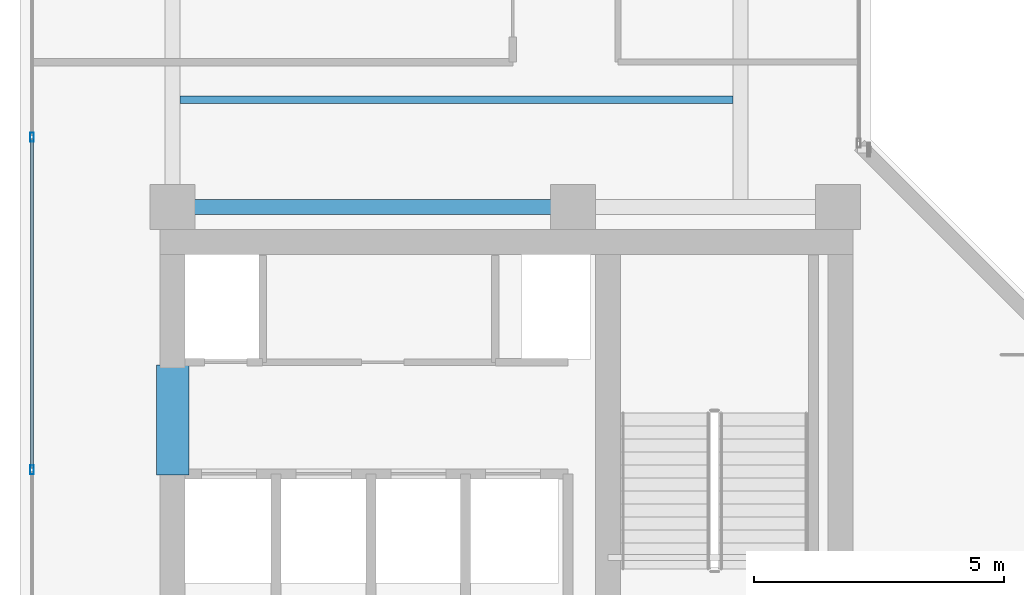
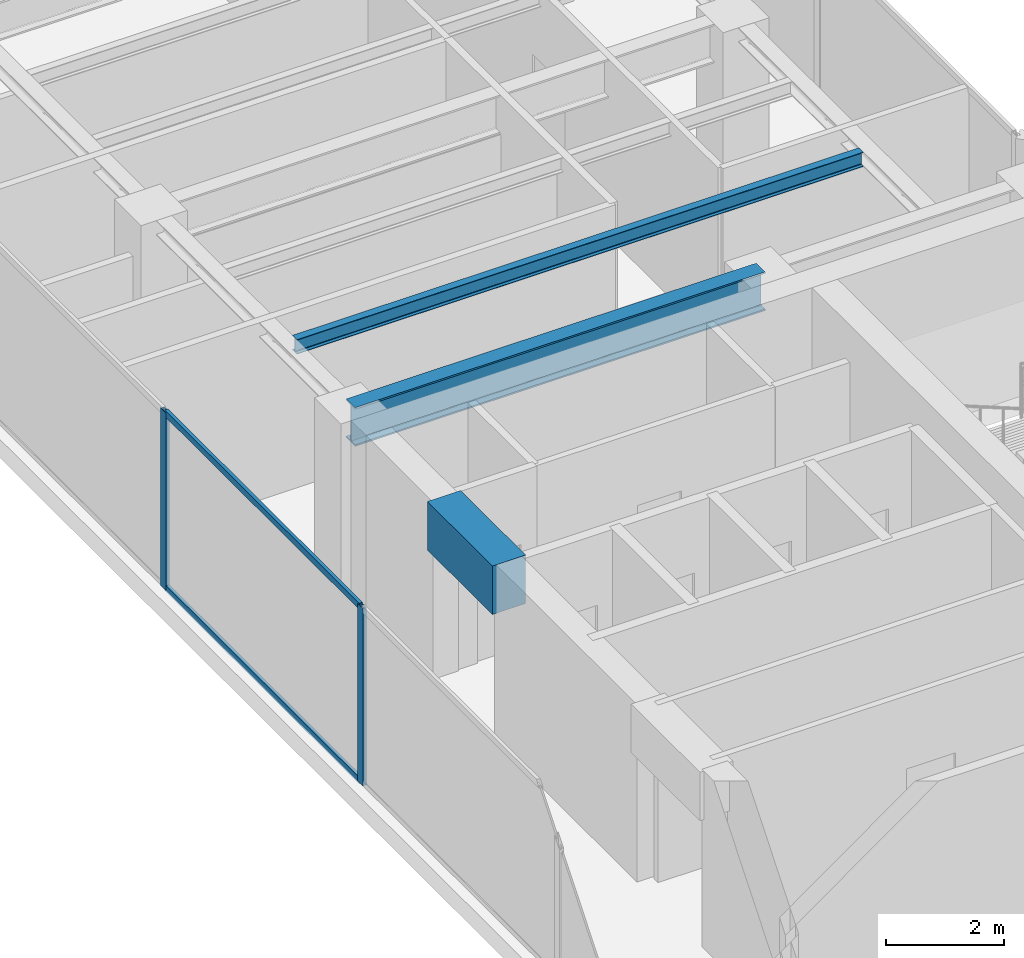
# One storey, part 9 of 31: 4 members, 3 beams, 1 element without a shape of its own.
"""IFC4 building model written with IfcOpenShell, lengths in metres."""

from ifc_helpers import new_model, si_unit, direction, frame, origin, origin_with_axes, origin_2d, place, context, subcontext, project, spatial, rectangle, hollow_rectangle, i_section, extrude, source, transform, mapped, material, layer, layer_set, material_profile, profile_set, type_object, element, aggregate, save


model = new_model("IFC4")

# Units and contexts
model_context = context("Model", 3, precision=1e-05, world=origin(), true_north=direction((0.0, 1.0)))
body_context = subcontext(model_context, "Body", "Model", "MODEL_VIEW")
ifc_project = project(units=[si_unit("LENGTHUNIT", "METRE"), si_unit("AREAUNIT", "SQUARE_METRE"), si_unit("VOLUMEUNIT", "CUBIC_METRE"), si_unit("PLANEANGLEUNIT", "RADIAN"), si_unit("MASSUNIT", "GRAM", prefix="KILO")], contexts=[model_context])

# Site, building, storey
site_placement = place(None, origin())
site = spatial("IfcSite", under=ifc_project, at=site_placement, CompositionType="ELEMENT")
building_placement = place(site_placement, origin())
building = spatial("IfcBuilding", under=site, at=building_placement, Name="Kolvaren Waterfront Exchange", CompositionType="ELEMENT")
storey_placement = place(building_placement, frame((0.0, 0.0, 344.199951171875)))
storey = spatial("IfcBuildingStorey", under=building, at=storey_placement, Name="L88", CompositionType="ELEMENT", Elevation=344.199951171875)

# Beams
ifc_material_1 = material(Name="Steel S355", Category="steel")
ifc_material_profile_1 = material_profile(ifc_material_1, i_section(OverallWidth=0.300048828125, OverallDepth=0.800048828125, WebThickness=0.017578125, FlangeThickness=0.032958984375, FilletRadius=0.030029296875, at=origin_2d()), Name="HEB800")
ifc_profile_set_1 = profile_set([ifc_material_profile_1], Name="Steel S355")
beam_type_1 = type_object("IfcBeamType", Name="STR-BM-HEB800", PredefinedType="BEAM", material=ifc_profile_set_1)
beam_1_placement = place(storey_placement, frame((7.449951171875, 24.449951171875, 3.260009765625), z_axis=(1.0, 0.0, 0.0), x_axis=(0.0, 1.0, 0.0)))
element("IfcBeam", 1, at=beam_1_placement, inside=storey, type_object=beam_type_1, Name="L88 north-arm girder 1A", PredefinedType="BEAM", context=body_context, shape_type="SweptSolid", body=[
    extrude(i_section(OverallWidth=0.300048828125, OverallDepth=0.800048828125, WebThickness=0.017578125, FlangeThickness=0.032958984375, FilletRadius=0.030029296875, at=origin_2d()), origin(), (0.0, 0.0, 1.0), 8.0),
])
ifc_material_profile_2 = material_profile(ifc_material_1, i_section(OverallWidth=0.14990234375, OverallDepth=0.300048828125, WebThickness=0.007080078125, FlangeThickness=0.0107421875, FilletRadius=0.014892578125, at=origin_2d()), Name="IPE300")
ifc_profile_set_2 = profile_set([ifc_material_profile_2], Name="Steel S355")
beam_type_2 = type_object("IfcBeamType", Name="STR-BM-IPE300", PredefinedType="JOIST", material=ifc_profile_set_2)
beam_2_placement = place(storey_placement, frame((7.60205078125, 26.60009765625, 3.510009765625), z_axis=(1.0, 0.0, 0.0), x_axis=(0.0, 1.0, 0.0)))
element("IfcBeam", 2, at=beam_2_placement, inside=storey, type_object=beam_type_2, Name="L88 north-arm composite joist 1", PredefinedType="JOIST", context=body_context, shape_type="SweptSolid", body=[
    extrude(i_section(OverallWidth=0.14990234375, OverallDepth=0.300048828125, WebThickness=0.007080078125, FlangeThickness=0.0107421875, FilletRadius=0.014892578125, at=origin_2d()), origin(), (0.0, 0.0, 1.0), 11.0458984375),
])
ifc_material_2 = material(Name="Concrete C60/75", Category="concrete")
ifc_material_profile_3 = material_profile(ifc_material_2, rectangle(XDim=0.64990234375, YDim=1.0, at=origin_2d()), Name="RC-CB-1000x650")
ifc_profile_set_3 = profile_set([ifc_material_profile_3], Name="Concrete C60/75")
beam_type_3 = type_object("IfcBeamType", Name="STR-CB-1000", PredefinedType="SPANDREL", material=ifc_profile_set_3)
beam_3_placement = place(storey_placement, frame((7.449951171875, 19.10009765625, 3.16015625), z_axis=(0.0, 1.0, 0.0), x_axis=(-1.0, 0.0, 0.0)))
element("IfcBeam", 3, at=beam_3_placement, inside=storey, type_object=beam_type_3, Name="L88 core coupling beam 5", PredefinedType="SPANDREL", context=body_context, shape_type="SweptSolid", body=[
    extrude(rectangle(XDim=0.64990234375, YDim=1.0, at=origin_2d()), origin(), (0.0, 0.0, 1.0), 2.199951171875),
])

# Curtain wall, members
ifc_material_3 = material(Name="Anodised bronze aluminium 6063-T6", Category="aluminium")
ifc_layer = layer(ifc_material_3, 0.219970703125, Name="Anodised bronze aluminium 6063-T6")
ifc_layer_set = layer_set([ifc_layer], Name="Anodised bronze aluminium 6063-T6")
curtain_wall_type = type_object("IfcCurtainWallType", Name="ARC-CW-SYS5", PredefinedType="USERDEFINED", material=ifc_layer_set)
curtain_wall_placement = place(storey_placement, origin())
curtain_wall = element("IfcCurtainWall", 4, at=curtain_wall_placement, inside=storey, type_object=curtain_wall_type, Name="L88 stick curtain wall CW5 (CW-L88-W)", ObjectType="STICK CURTAIN WALL", PredefinedType="USERDEFINED")
ifc_material_profile_4 = material_profile(ifc_material_3, hollow_rectangle(XDim=0.074951171875, YDim=0.179931640625, WallThickness=0.00439453125, at=origin_2d()), Name="ALU-MUL-180x75x4.5")
ifc_profile_set_4 = profile_set([ifc_material_profile_4], Name="Anodised bronze aluminium 6063-T6")
member_type_1 = type_object("IfcMemberType", Name="ARC-CWM-180", PredefinedType="MULLION", material=ifc_profile_set_4)
shared_shape_1 = source(origin_with_axes(), body_context, "Body", "SweptSolid", [
    extrude(hollow_rectangle(XDim=0.074951171875, YDim=0.179931640625, WallThickness=0.00439453125, at=origin_2d()), origin(), (0.0, 0.0, 1.0), 3.66015625),
])
member_1_placement = place(storey_placement, frame((4.639892578125, 19.199951171875, 0.0), z_axis=(0.0, 0.0, 1.0), x_axis=(-1.0, 0.0, 0.0)))
member_1 = element("IfcMember", 5, at=member_1_placement, type_object=member_type_1, Name="CW5 mullion 3", PredefinedType="MULLION", context=body_context, shape_type="MappedRepresentation", body=[
    mapped(shared_shape_1, transform((0.0, 0.0, 0.0), x_axis=(1.0, 0.0, 0.0), y_axis=(0.0, 1.0, 0.0), z_axis=(0.0, 0.0, 1.0), scale=1.0)),
])
member_2_placement = place(storey_placement, frame((4.639892578125, 25.85009765625, 0.0), z_axis=(0.0, 0.0, 1.0), x_axis=(-1.0, 0.0, 0.0)))
member_2 = element("IfcMember", 6, at=member_2_placement, type_object=member_type_1, Name="CW5 mullion 4", PredefinedType="MULLION", context=body_context, shape_type="MappedRepresentation", body=[
    mapped(shared_shape_1, transform((0.0, 0.0, 0.0), x_axis=(1.0, 0.0, 0.0), y_axis=(0.0, 1.0, 0.0), z_axis=(0.0, 0.0, 1.0), scale=1.0)),
])
ifc_material_profile_5 = material_profile(ifc_material_3, hollow_rectangle(XDim=0.06494140625, YDim=0.1298828125, WallThickness=0.00390625, at=origin_2d()), Name="ALU-TRN-130x65x4")
ifc_profile_set_5 = profile_set([ifc_material_profile_5], Name="Anodised bronze aluminium 6063-T6")
member_type_2 = type_object("IfcMemberType", Name="ARC-CWT-130", PredefinedType="USERDEFINED", material=ifc_profile_set_5)
shared_shape_2 = source(origin_with_axes(), body_context, "Body", "SweptSolid", [
    extrude(hollow_rectangle(XDim=0.06494140625, YDim=0.1298828125, WallThickness=0.00390625, at=origin_2d()), origin(), (0.0, 0.0, 1.0), 6.574951171875),
])
member_3_placement = place(storey_placement, frame((4.639892578125, 19.237548828125, 0.032470703125), z_axis=(0.0, 1.0, 0.0), x_axis=(-1.0, 0.0, 0.0)))
member_3 = element("IfcMember", 7, at=member_3_placement, type_object=member_type_2, Name="CW5 transom 3.1", ObjectType="TRANSOM", PredefinedType="USERDEFINED", context=body_context, shape_type="MappedRepresentation", body=[
    mapped(shared_shape_2, transform((0.0, 0.0, 0.0), x_axis=(1.0, 0.0, 0.0), y_axis=(0.0, 1.0, 0.0), z_axis=(0.0, 0.0, 1.0), scale=1.0)),
])
member_4_placement = place(storey_placement, frame((4.639892578125, 19.237548828125, 3.62744140625), z_axis=(0.0, 1.0, 0.0), x_axis=(-1.0, 0.0, 0.0)))
member_4 = element("IfcMember", 8, at=member_4_placement, type_object=member_type_2, Name="CW5 transom 3.2", ObjectType="TRANSOM", PredefinedType="USERDEFINED", context=body_context, shape_type="MappedRepresentation", body=[
    mapped(shared_shape_2, transform((0.0, 0.0, 0.0), x_axis=(1.0, 0.0, 0.0), y_axis=(0.0, 1.0, 0.0), z_axis=(0.0, 0.0, 1.0), scale=1.0)),
])
aggregate(curtain_wall, [member_1, member_2, member_3, member_4])

save(model, "model.ifc")
